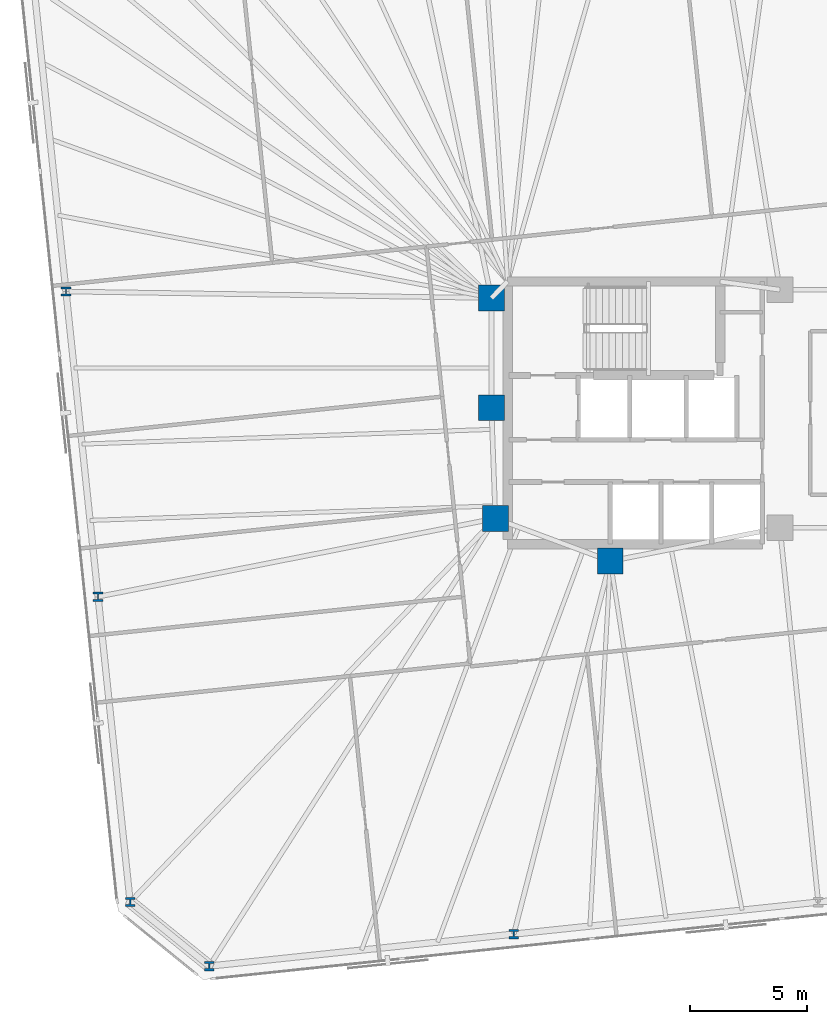
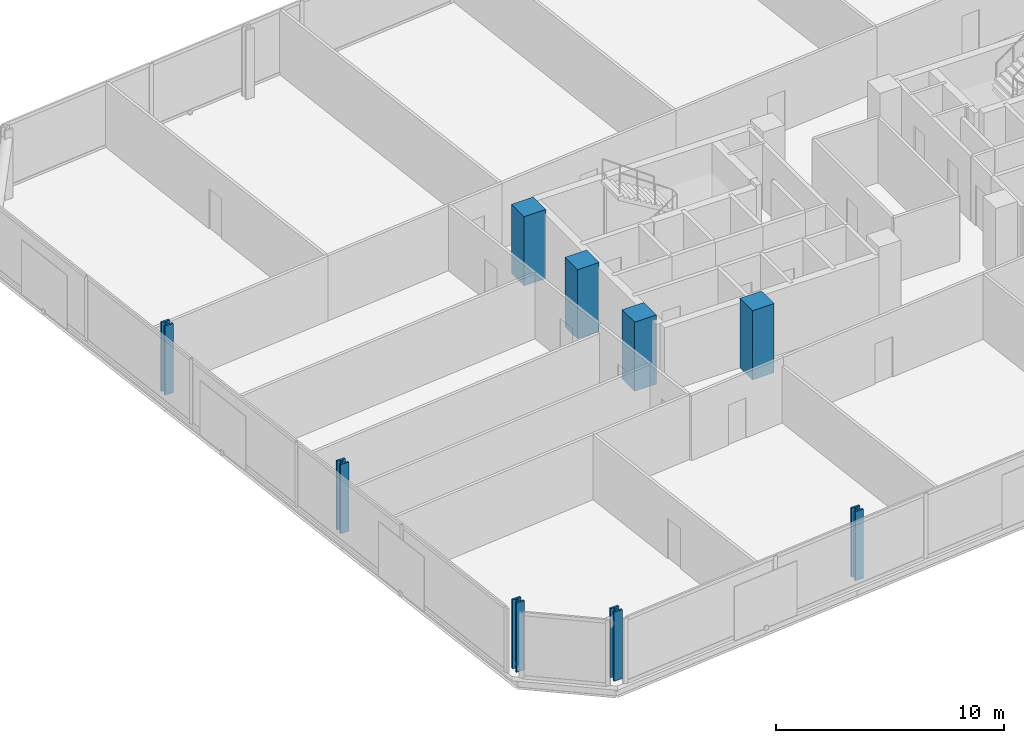
# One storey, part 1 of 18: 9 columns.
"""IFC4 building model written with IfcOpenShell, lengths in metres."""

import ifcopenshell
import ifcopenshell.guid

model = None  # the IFC model being written
_history = None  # IfcOwnerHistory: only IFC2X3 demands one
_inside = {}  # id of a spatial element -> (the spatial element, [elements in it])
_under = {}  # id of a project, library or spatial element -> (it, [spatial elements below it])
_declared = {}  # id of a project -> (the project, [libraries it declares])
_typed = {}  # id of a type object -> (the type object, [elements of that type])
_made_of = {}  # id of a material, layer set ... -> (it, [elements and type objects made of it])


def new_model(schema):
    """Start an empty IFC model of exactly this schema.

    Asked for "IFC4X3", IfcOpenShell would pick the latest addendum, in which some entities
    have other attributes; the version numbers below select the first issue.
    IFC2X3 requires an IfcOwnerHistory on every rooted entity: one is made here for all.
    """
    global model, _history
    if schema == "IFC4X3":
        model = ifcopenshell.file(schema_version=(4, 3, 0, 0))
    else:
        model = ifcopenshell.file(schema=schema)
    _inside.clear()
    _under.clear()
    _declared.clear()
    _typed.clear()
    _made_of.clear()
    _history = None
    if model.schema == "IFC2X3":
        org = make("IfcOrganization", Name="unknown")
        user = make(
            "IfcPersonAndOrganization",
            ThePerson=make("IfcPerson", FamilyName="unknown"),
            TheOrganization=org,
        )
        app = make(
            "IfcApplication",
            ApplicationDeveloper=org,
            Version="unknown",
            ApplicationFullName="unknown",
            ApplicationIdentifier="unknown",
        )
        _history = make(
            "IfcOwnerHistory",
            OwningUser=user,
            OwningApplication=app,
            ChangeAction="ADDED",
            CreationDate=0,
        )
    return model


def make(cls, **values):
    """One entity of the class cls with the attributes given. An attribute that is None is left unset."""
    return model.create_entity(
        cls, **{name: value for name, value in values.items() if value is not None}
    )


def rooted(cls, **values):
    """An entity with a GlobalId (a new one), such as an element, a storey or a relation."""
    return make(cls, GlobalId=ifcopenshell.guid.new(), OwnerHistory=_history, **values)


def si_unit(unit_type, name, prefix=None):
    """IfcSIUnit, for example si_unit("LENGTHUNIT", "METRE", prefix="MILLI")."""
    return make("IfcSIUnit", UnitType=unit_type, Prefix=prefix, Name=name)


def assignment(units):
    """IfcUnitAssignment: the units of a project."""
    return None if units is None else make("IfcUnitAssignment", Units=units)


def point(xyz):
    """IfcCartesianPoint."""
    return None if xyz is None else make("IfcCartesianPoint", Coordinates=xyz)


def direction(xyz):
    """IfcDirection."""
    return None if xyz is None else make("IfcDirection", DirectionRatios=xyz)


def frame(location, z_axis=None, x_axis=None):
    """IfcAxis2Placement3D, a coordinate frame: its origin and axes. An axis left out is left unset."""
    return make(
        "IfcAxis2Placement3D",
        Location=point(location),
        Axis=direction(z_axis),
        RefDirection=direction(x_axis),
    )


def frame_2d(location, x_axis=None):
    """IfcAxis2Placement2D, a coordinate frame in the plane: its origin and x axis."""
    return make(
        "IfcAxis2Placement2D", Location=point(location), RefDirection=direction(x_axis)
    )


def origin():
    """The frame at (0, 0, 0) with its axes left unset."""
    return frame((0.0, 0.0, 0.0))


def origin_2d():
    """The frame at (0, 0) in the plane with its x axis left unset."""
    return frame_2d((0.0, 0.0))


def place(relative_to, where):
    """IfcLocalPlacement: puts the frame where relative to a parent placement (None: the world)."""
    return make(
        "IfcLocalPlacement", PlacementRelTo=relative_to, RelativePlacement=where
    )


def context(
    kind, dimensions, precision=None, world=None, true_north=None, identifier=None
):
    """IfcGeometricRepresentationContext, for example the 3D "Model" context."""
    return make(
        "IfcGeometricRepresentationContext",
        ContextIdentifier=identifier,
        ContextType=kind,
        CoordinateSpaceDimension=dimensions,
        Precision=precision,
        WorldCoordinateSystem=world,
        TrueNorth=true_north,
    )


def subcontext(parent, identifier, kind, view, scale=None):
    """IfcGeometricRepresentationSubContext, for example "Body" below "Model"."""
    return make(
        "IfcGeometricRepresentationSubContext",
        ContextIdentifier=identifier,
        ContextType=kind,
        ParentContext=parent,
        TargetScale=scale,
        TargetView=view,
    )


def project(units=None, contexts=None):
    """IfcProject with its units and contexts."""
    return rooted(
        "IfcProject",
        Name="project",
        RepresentationContexts=contexts,
        UnitsInContext=assignment(units),
    )


def spatial(cls, under=None, at=None, **own):
    """A site, building, storey or space (cls), placed at a placement, below another one or the project."""
    s = rooted(cls, ObjectPlacement=at, **own)
    if under is not None:
        _under.setdefault(under.id(), (under, []))[1].append(s)
    return s


def profile(cls, at=None, kind="AREA", **sizes):
    """A parametric profile (cls). Its sizes go by their IFC names, for example OverallWidth=200.0."""
    return make(cls, ProfileType=kind, Position=at, **sizes)


def rectangle(**sizes):
    """IfcRectangleProfileDef."""
    return profile("IfcRectangleProfileDef", **sizes)


def i_section(**sizes):
    """IfcIShapeProfileDef."""
    return profile("IfcIShapeProfileDef", **sizes)


def extrude(swept, where, along, depth):
    """IfcExtrudedAreaSolid: the profile swept, set in the frame where, extruded along a direction by depth."""
    return make(
        "IfcExtrudedAreaSolid",
        SweptArea=swept,
        Position=where,
        ExtrudedDirection=direction(along),
        Depth=depth,
    )


def shape(context_of_items, identifier, shape_type, items):
    """IfcShapeRepresentation: the items that make up one representation, for example the "Body"."""
    return make(
        "IfcShapeRepresentation",
        ContextOfItems=context_of_items,
        RepresentationIdentifier=identifier,
        RepresentationType=shape_type,
        Items=items,
    )


def material(Name=None, Category=None):
    """IfcMaterial."""
    return make("IfcMaterial", Name=Name, Category=Category)


def material_profile(
    of_material, cross_section, Name=None, Category=None, Priority=None
):
    """IfcMaterialProfile: a cross section and its material."""
    return make(
        "IfcMaterialProfile",
        Name=Name,
        Material=of_material,
        Profile=cross_section,
        Priority=Priority,
        Category=Category,
    )


def profile_set(profiles, Name=None, composite=None):
    """IfcMaterialProfileSet."""
    return make(
        "IfcMaterialProfileSet",
        Name=Name,
        MaterialProfiles=profiles,
        CompositeProfile=composite,
    )


def made_of(thing, what):
    """Note that an element or type object is made of a material, layer set ...; save() writes the relation."""
    if what is not None:
        _made_of.setdefault(what.id(), (what, []))[1].append(thing)
    return thing


def type_object(cls, material=None, **own):
    """A type object (cls), such as IfcWallType, which elements share."""
    return made_of(rooted(cls, **own), material)


def element(
    cls,
    number,
    at=None,
    inside=None,
    cuts=None,
    type_object=None,
    material=None,
    context=None,
    identifier="Body",
    shape_type=None,
    held_by="IfcProductDefinitionShape",
    body=None,
    shapes=None,
    **own,
):
    """One element of the class cls, such as IfcWall. Its Tag is "e" and its number.

    at: its placement. inside: the storey or other place that contains it. cuts: it is an
    opening in that element (IfcRelVoidsElement). A single representation is given by context,
    identifier, shape_type and body (its items); several are given by shapes. held_by: the class
    of the entity that holds the representations. save() writes the other relations.
    """
    e = rooted(cls, Tag="e%d" % number, ObjectPlacement=at, **own)
    if body is not None:
        shapes = [shape(context, identifier, shape_type, body)]
    if shapes is not None:
        e.Representation = make(held_by, Representations=shapes)
    if inside is not None:
        _inside.setdefault(inside.id(), (inside, []))[1].append(e)
    if cuts is not None:
        rooted(
            "IfcRelVoidsElement", RelatingBuildingElement=cuts, RelatedOpeningElement=e
        )
    if type_object is not None:
        _typed.setdefault(type_object.id(), (type_object, []))[1].append(e)
    return made_of(e, material)


def aggregate(whole, parts):
    """IfcRelAggregates: a whole, such as a stair, and the parts it consists of."""
    return rooted("IfcRelAggregates", RelatingObject=whole, RelatedObjects=parts)


def save(model, path):
    """Write the relations noted so far, then the file.

    IfcRelAggregates (storeys below a building ...), IfcRelContainedInSpatialStructure (elements
    in a storey), IfcRelDefinesByType, IfcRelAssociatesMaterial and IfcRelDeclares: one each for
    every whole, place, type object, material and project.
    """
    for whole, parts in _under.values():
        aggregate(whole, parts)
    for where, things in _inside.values():
        rooted(
            "IfcRelContainedInSpatialStructure",
            RelatedElements=things,
            RelatingStructure=where,
        )
    for kind, things in _typed.values():
        rooted("IfcRelDefinesByType", RelatedObjects=things, RelatingType=kind)
    for what, things in _made_of.values():
        rooted("IfcRelAssociatesMaterial", RelatedObjects=things, RelatingMaterial=what)
    for by, libraries in _declared.values():
        rooted("IfcRelDeclares", RelatingContext=by, RelatedDefinitions=libraries)
    model.write(path)


model = new_model("IFC4")

# Units and contexts
model_context = context("Model", 3, precision=1e-05, world=origin(), true_north=direction((0.0, 1.0)))
body_context = subcontext(model_context, "Body", "Model", "MODEL_VIEW")
ifc_project = project(units=[si_unit("LENGTHUNIT", "METRE"), si_unit("AREAUNIT", "SQUARE_METRE"), si_unit("VOLUMEUNIT", "CUBIC_METRE"), si_unit("PLANEANGLEUNIT", "RADIAN"), si_unit("MASSUNIT", "GRAM", prefix="KILO")], contexts=[model_context])

# Site, building, storey
site_placement = place(None, origin())
site = spatial("IfcSite", under=ifc_project, at=site_placement, CompositionType="ELEMENT")
building_placement = place(site_placement, origin())
building = spatial("IfcBuilding", under=site, at=building_placement, Name="Menara Jurai Vektor", CompositionType="ELEMENT")
storey_placement = place(building_placement, frame((0.0, 0.0, 120.699951171875)))
storey = spatial("IfcBuildingStorey", under=building, at=storey_placement, Name="L30", CompositionType="ELEMENT", Elevation=120.699951171875)

# Columns
ifc_material_1 = material(Name="Concrete C50/60", Category="concrete")
ifc_material_profile_1 = material_profile(ifc_material_1, rectangle(XDim=1.10009765625, YDim=1.10009765625, at=origin_2d()), Name="RC 1100x1100")
ifc_profile_set_1 = profile_set([ifc_material_profile_1], Name="Concrete C50/60")
column_type_1 = type_object("IfcColumnType", Name="STR-COL-RC1100", PredefinedType="COLUMN", material=ifc_profile_set_1)
for number, where, z_axis, x_axis, name in (
    (1, (-15.25, 4.89990234375, 0.0), (0.0, 0.0, 1.0), (1.0, 0.0, 0.0), "Core Spine Column CW-NW L30"),
    (2, (-15.25, 0.219970703125, 0.0), (0.0, 0.0, 1.0), (1.0, 0.0, 0.0), "Core Spine Column CW-WM L30"),
    (3, (-15.080078125, -4.5, 0.0), (0.0, 0.0, 1.0), (1.0, 0.0, 0.0), "Core Spine Column CW-SW L30"),
    (4, (-10.179931640625, -6.320068359375, 0.0), (0.0, 0.0, 1.0), (1.0, 0.0, 0.0), "Core Spine Column CW-SM L30"),
):
    element("IfcColumn", number, at=place(storey_placement, frame(where, z_axis=z_axis, x_axis=x_axis)), inside=storey, type_object=column_type_1, Name=name, PredefinedType="COLUMN", context=body_context, shape_type="SweptSolid", body=[
        extrude(rectangle(XDim=1.10009765625, YDim=1.10009765625, at=origin_2d()), origin(), (0.0, 0.0, 1.0), 3.699951171875),
    ])
ifc_material_2 = material(Name="Steel S460", Category="steel")
ifc_material_profile_2 = material_profile(ifc_material_2, i_section(OverallWidth=0.4130859375, OverallDepth=0.39794921875, WebThickness=0.055908203125, FlangeThickness=0.089111328125, FilletRadius=0.014892578125, at=origin_2d()), Name="HD 400x744")
ifc_profile_set_2 = profile_set([ifc_material_profile_2], Name="Steel S460")
column_type_2 = type_object("IfcColumnType", Name="STR-EXO-BLK2", PredefinedType="COLUMN", material=ifc_profile_set_2)
for number, where, z_axis, x_axis, name in (
    (5, (-27.2763671875, -23.586181640625, 0.0), (0.0, 0.0, 1.0), (1.0, 0.0, 0.0), "Exoskeleton Column BLK2-S1 L30"),
    (6, (-14.296630859375, -22.221923828125, 0.0), (0.0, 0.0, 1.0), (1.0, 0.0, 0.0), "Exoskeleton Column BLK2-S2 L30"),
    (7, (-33.388427734375, 5.175048828125, 0.0), (0.0, 0.0, 1.0), (1.0, 0.0, 0.0), "Exoskeleton Column BLK2-W2 L30"),
    (8, (-32.0205078125, -7.83837890625, 0.0), (0.0, 0.0, 1.0), (1.0, 0.0, 0.0), "Exoskeleton Column BLK2-W3 L30"),
    (9, (-30.65283203125, -20.85205078125, 0.0), (0.0, 0.0, 1.0), (1.0, 0.0, 0.0), "Exoskeleton Column BLK2-W4 L30"),
):
    element("IfcColumn", number, at=place(storey_placement, frame(where, z_axis=z_axis, x_axis=x_axis)), inside=storey, type_object=column_type_2, Name=name, PredefinedType="COLUMN", context=body_context, shape_type="SweptSolid", body=[
        extrude(i_section(OverallWidth=0.4130859375, OverallDepth=0.39794921875, WebThickness=0.055908203125, FlangeThickness=0.089111328125, FilletRadius=0.014892578125, at=origin_2d()), origin(), (0.0, 0.0, 1.0), 3.699951171875),
    ])

save(model, "model.ifc")
